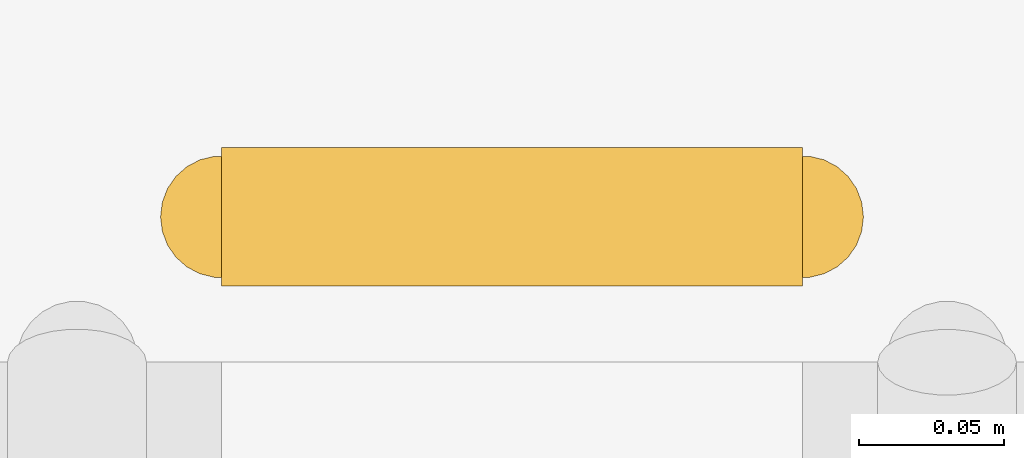
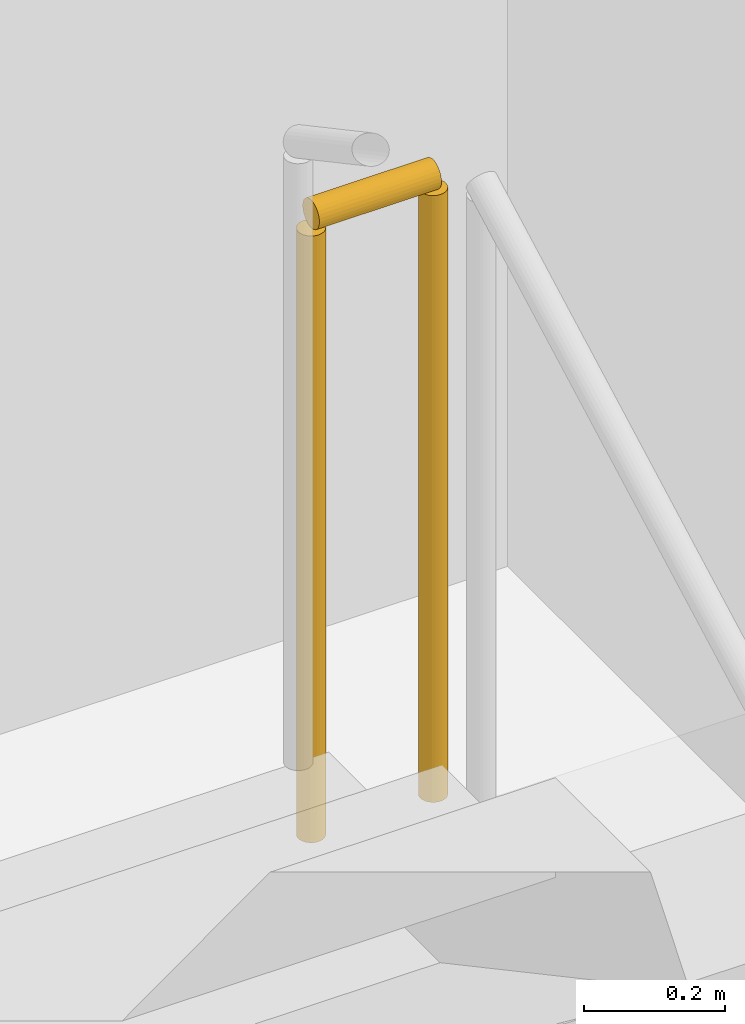
# One storey, part 41 of 45: 1 railing.
"""IFC4 building model written with IfcOpenShell, lengths in metres."""

from ifc_helpers import new_model, si_unit, direction, frame, origin, origin_2d, place, context, subcontext, project, spatial, circle, extrude, material, type_object, element, save


model = new_model("IFC4")

# Units and contexts
model_context = context("Model", 3, precision=1e-05, world=origin(), true_north=direction((0.0, 1.0)))
body_context = subcontext(model_context, "Body", "Model", "MODEL_VIEW")
ifc_project = project(units=[si_unit("LENGTHUNIT", "METRE"), si_unit("AREAUNIT", "SQUARE_METRE"), si_unit("VOLUMEUNIT", "CUBIC_METRE"), si_unit("PLANEANGLEUNIT", "RADIAN"), si_unit("MASSUNIT", "GRAM", prefix="KILO")], contexts=[model_context])

# Site, building, storey
site_placement = place(None, origin())
site = spatial("IfcSite", under=ifc_project, at=site_placement, CompositionType="ELEMENT")
building_placement = place(site_placement, origin())
building = spatial("IfcBuilding", under=site, at=building_placement, Name="Sefraquen Railside Congress Hotel", CompositionType="ELEMENT")
storey_placement = place(building_placement, frame((0.0, 0.0, -4.5)))
storey = spatial("IfcBuildingStorey", under=building, at=storey_placement, Name="B01", CompositionType="ELEMENT", Elevation=-4.5)

# Railing
ifc_material = material(Name="Patinated wrought architectural bronze", Category="metal")
railing_type = type_object("IfcRailingType", Name="TRL-BAL-110", PredefinedType="BALUSTRADE", material=ifc_material)
railing_placement = place(storey_placement, frame((67.080078125, 103.39404296875, 2.25)))
element("IfcRailing", 1, at=railing_placement, inside=storey, type_object=railing_type, Name="B01 ST-H03 stair guard 2", PredefinedType="BALUSTRADE", context=body_context, shape_type="SweptSolid", body=[
    extrude(circle(Radius=0.02392578125, at=origin_2d()), frame((0.0, 0.0, 1.076171875), z_axis=(-1.0, 0.0, 0.0), x_axis=(0.0, -1.0, 0.0)), (0.0, 0.0, 1.0), 0.2001953125),
    extrude(circle(Radius=0.02099609375, at=origin_2d()), origin(), (0.0, 0.0, 1.0), 1.052001953125),
    extrude(circle(Radius=0.02099609375, at=origin_2d()), frame((-0.2001953125, 0.0, 0.0)), (0.0, 0.0, 1.0), 1.052001953125),
])

save(model, "model.ifc")
